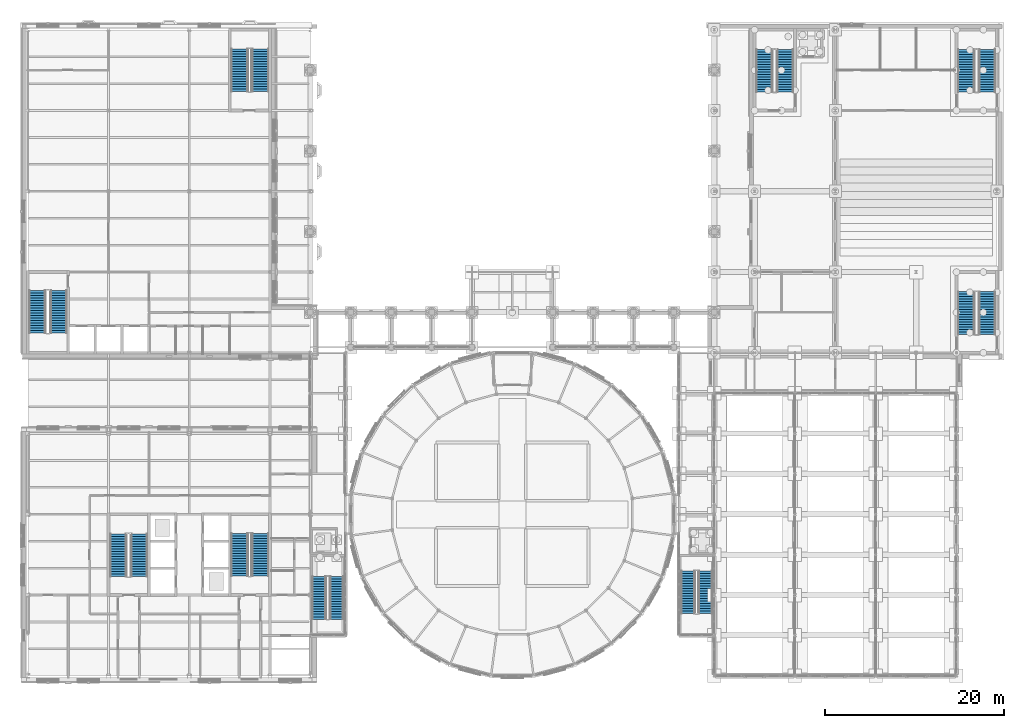
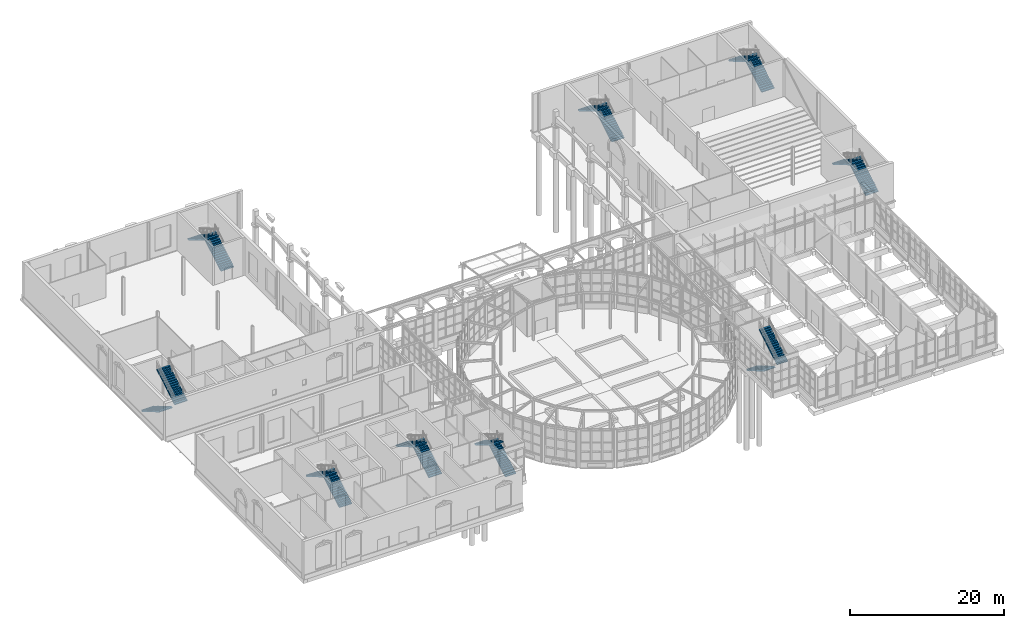
# One storey, part 77 of 106: 18 stair flights, 9 elements without a shape of their own.
"""IFC4 building model written with IfcOpenShell, lengths in metres."""

from ifc_helpers import new_model, si_unit, direction, frame, origin, place, context, subcontext, project, spatial, polyline, outline, extrude, material, layer, layer_set, type_object, element, aggregate, save


model = new_model("IFC4")

# Units and contexts
model_context = context("Model", 3, precision=1e-05, world=origin(), true_north=direction((0.0, 1.0)))
body_context = subcontext(model_context, "Body", "Model", "MODEL_VIEW")
ifc_project = project(units=[si_unit("LENGTHUNIT", "METRE"), si_unit("AREAUNIT", "SQUARE_METRE"), si_unit("VOLUMEUNIT", "CUBIC_METRE"), si_unit("PLANEANGLEUNIT", "RADIAN"), si_unit("MASSUNIT", "GRAM", prefix="KILO")], contexts=[model_context])

# Site, building, storey
site_placement = place(None, origin())
site = spatial("IfcSite", under=ifc_project, at=site_placement, CompositionType="ELEMENT")
building_placement = place(site_placement, origin())
building = spatial("IfcBuilding", under=site, at=building_placement, Name="Hortulan Conservatory and Botanical Research Centre", CompositionType="ELEMENT")
storey_placement = place(building_placement, origin())
storey = spatial("IfcBuildingStorey", under=building, at=storey_placement, Name="L00", CompositionType="ELEMENT", Elevation=0.0)

# Stair, stair flights
ifc_material = material(Name="Concrete N40 (40 MPa, AS 3600)", Category="concrete")
stair_type_1 = type_object("IfcStairType", Name="Concrete Escape Stair 1600", PredefinedType="HALF_TURN_STAIR", material=ifc_material)
stair_1_placement = place(storey_placement, origin())
stair_1 = element("IfcStair", 1, at=stair_1_placement, inside=storey, type_object=stair_type_1, Name="Stair SHW L00", PredefinedType="HALF_TURN_STAIR")
ifc_layer_1 = layer(ifc_material, 0.14990234375)
ifc_layer_set_1 = layer_set([ifc_layer_1], Name="Stair Flight 1600 wide, riser 167")
stair_flight_type_1 = type_object("IfcStairFlightType", Name="Stair Flight 1600 wide, riser 167", PredefinedType="STRAIGHT", material=ifc_layer_set_1)
stair_flight_1_placement = place(storey_placement, frame((34.39990234375, 6.300048828125, 0.0), z_axis=(0.0, 0.0, 1.0), x_axis=(0.0, 1.0, 0.0)))
stair_flight_1 = element("IfcStairFlight", 2, at=stair_flight_1_placement, type_object=stair_flight_type_1, Name="Stair SHW L00 flight 1", NumberOfRisers=18, NumberOfTreads=17, PredefinedType="STRAIGHT", RiserHeight=0.166666667, TreadLength=0.28, context=body_context, shape_type="SweptSolid", body=[
    extrude(outline(polyline([(0.0, 0.0), (0.0, 0.166748046875), (0.280029296875, 0.166748046875), (0.280029296875, 0.333251953125), (0.56005859375, 0.333251953125), (0.56005859375, 0.5), (0.840087890625, 0.5), (0.840087890625, 0.666748046875), (1.1201171875, 0.666748046875), (1.1201171875, 0.833251953125), (1.39990234375, 0.833251953125), (1.39990234375, 1.0), (1.679931640625, 1.0), (1.679931640625, 1.166748046875), (1.9599609375, 1.166748046875), (1.9599609375, 1.333251953125), (2.239990234375, 1.333251953125), (2.239990234375, 1.5), (2.52001953125, 1.5), (2.52001953125, 1.666748046875), (2.800048828125, 1.666748046875), (2.800048828125, 1.833251953125), (3.080078125, 1.833251953125), (3.080078125, 2.0), (3.360107421875, 2.0), (3.360107421875, 2.166748046875), (3.639892578125, 2.166748046875), (3.639892578125, 2.333251953125), (3.919921875, 2.333251953125), (3.919921875, 2.5), (4.199951171875, 2.5), (4.199951171875, 2.666748046875), (4.47998046875, 2.666748046875), (4.47998046875, 2.833251953125), (4.760009765625, 2.833251953125), (4.760009765625, 3.0), (4.760009765625, 2.658935546875), (0.29296875, 0.0), (0.0, 0.0)])), frame((0.0, 0.800048828125, 0.0), z_axis=(0.0, -1.0, 0.0), x_axis=(1.0, 0.0, 0.0)), (0.0, 0.0, 1.0), 1.60009765625),
])
stair_flight_2_placement = place(storey_placement, frame((32.5, 11.06005859375, 3.0), z_axis=(0.0, 0.0, 1.0), x_axis=(0.0, -1.0, 0.0)))
stair_flight_2 = element("IfcStairFlight", 3, at=stair_flight_2_placement, type_object=stair_flight_type_1, Name="Stair SHW L00 flight 2", NumberOfRisers=18, NumberOfTreads=17, PredefinedType="STRAIGHT", RiserHeight=0.166666667, TreadLength=0.28, context=body_context, shape_type="SweptSolid", body=[
    extrude(outline(polyline([(0.0, 0.0), (0.0, 0.166748046875), (0.280029296875, 0.166748046875), (0.280029296875, 0.333251953125), (0.56005859375, 0.333251953125), (0.56005859375, 0.5), (0.840087890625, 0.5), (0.840087890625, 0.666748046875), (1.1201171875, 0.666748046875), (1.1201171875, 0.833251953125), (1.39990234375, 0.833251953125), (1.39990234375, 1.0), (1.679931640625, 1.0), (1.679931640625, 1.166748046875), (1.9599609375, 1.166748046875), (1.9599609375, 1.333251953125), (2.239990234375, 1.333251953125), (2.239990234375, 1.5), (2.52001953125, 1.5), (2.52001953125, 1.666748046875), (2.800048828125, 1.666748046875), (2.800048828125, 1.833251953125), (3.080078125, 1.833251953125), (3.080078125, 2.0), (3.360107421875, 2.0), (3.360107421875, 2.166748046875), (3.639892578125, 2.166748046875), (3.639892578125, 2.333251953125), (3.919921875, 2.333251953125), (3.919921875, 2.5), (4.199951171875, 2.5), (4.199951171875, 2.666748046875), (4.47998046875, 2.666748046875), (4.47998046875, 2.833251953125), (4.760009765625, 2.833251953125), (4.760009765625, 3.0), (4.760009765625, 2.658935546875), (0.29296875, 0.0), (0.0, 0.0)])), frame((0.0, 0.800048828125, 0.0), z_axis=(0.0, -1.0, 0.0), x_axis=(1.0, 0.0, 0.0)), (0.0, 0.0, 1.0), 1.60009765625),
])
aggregate(stair_1, [stair_flight_1, stair_flight_2])

stair_2_placement = place(storey_placement, origin())
stair_2 = element("IfcStair", 4, at=stair_2_placement, inside=storey, type_object=stair_type_1, Name="Stair SHE L00", PredefinedType="HALF_TURN_STAIR")
stair_flight_3_placement = place(storey_placement, frame((73.60009765625, 11.699951171875, 0.0), z_axis=(0.0, 0.0, 1.0), x_axis=(0.0, -1.0, 0.0)))
stair_flight_3 = element("IfcStairFlight", 5, at=stair_flight_3_placement, type_object=stair_flight_type_1, Name="Stair SHE L00 flight 1", NumberOfRisers=18, NumberOfTreads=17, PredefinedType="STRAIGHT", RiserHeight=0.166666667, TreadLength=0.28, context=body_context, shape_type="SweptSolid", body=[
    extrude(outline(polyline([(0.0, 0.0), (0.0, 0.166748046875), (0.280029296875, 0.166748046875), (0.280029296875, 0.333251953125), (0.56005859375, 0.333251953125), (0.56005859375, 0.5), (0.840087890625, 0.5), (0.840087890625, 0.666748046875), (1.1201171875, 0.666748046875), (1.1201171875, 0.833251953125), (1.39990234375, 0.833251953125), (1.39990234375, 1.0), (1.679931640625, 1.0), (1.679931640625, 1.166748046875), (1.9599609375, 1.166748046875), (1.9599609375, 1.333251953125), (2.239990234375, 1.333251953125), (2.239990234375, 1.5), (2.52001953125, 1.5), (2.52001953125, 1.666748046875), (2.800048828125, 1.666748046875), (2.800048828125, 1.833251953125), (3.080078125, 1.833251953125), (3.080078125, 2.0), (3.360107421875, 2.0), (3.360107421875, 2.166748046875), (3.639892578125, 2.166748046875), (3.639892578125, 2.333251953125), (3.919921875, 2.333251953125), (3.919921875, 2.5), (4.199951171875, 2.5), (4.199951171875, 2.666748046875), (4.47998046875, 2.666748046875), (4.47998046875, 2.833251953125), (4.760009765625, 2.833251953125), (4.760009765625, 3.0), (4.760009765625, 2.658935546875), (0.29296875, 0.0), (0.0, 0.0)])), frame((0.0, 0.800048828125, 0.0), z_axis=(0.0, -1.0, 0.0), x_axis=(1.0, 0.0, 0.0)), (0.0, 0.0, 1.0), 1.60009765625),
])
stair_flight_4_placement = place(storey_placement, frame((75.5, 6.93994140625, 3.0), z_axis=(0.0, 0.0, 1.0), x_axis=(0.0, 1.0, 0.0)))
stair_flight_4 = element("IfcStairFlight", 6, at=stair_flight_4_placement, type_object=stair_flight_type_1, Name="Stair SHE L00 flight 2", NumberOfRisers=18, NumberOfTreads=17, PredefinedType="STRAIGHT", RiserHeight=0.166666667, TreadLength=0.28, context=body_context, shape_type="SweptSolid", body=[
    extrude(outline(polyline([(0.0, 0.0), (0.0, 0.166748046875), (0.280029296875, 0.166748046875), (0.280029296875, 0.333251953125), (0.56005859375, 0.333251953125), (0.56005859375, 0.5), (0.840087890625, 0.5), (0.840087890625, 0.666748046875), (1.1201171875, 0.666748046875), (1.1201171875, 0.833251953125), (1.39990234375, 0.833251953125), (1.39990234375, 1.0), (1.679931640625, 1.0), (1.679931640625, 1.166748046875), (1.9599609375, 1.166748046875), (1.9599609375, 1.333251953125), (2.239990234375, 1.333251953125), (2.239990234375, 1.5), (2.52001953125, 1.5), (2.52001953125, 1.666748046875), (2.800048828125, 1.666748046875), (2.800048828125, 1.833251953125), (3.080078125, 1.833251953125), (3.080078125, 2.0), (3.360107421875, 2.0), (3.360107421875, 2.166748046875), (3.639892578125, 2.166748046875), (3.639892578125, 2.333251953125), (3.919921875, 2.333251953125), (3.919921875, 2.5), (4.199951171875, 2.5), (4.199951171875, 2.666748046875), (4.47998046875, 2.666748046875), (4.47998046875, 2.833251953125), (4.760009765625, 2.833251953125), (4.760009765625, 3.0), (4.760009765625, 2.658935546875), (0.29296875, 0.0), (0.0, 0.0)])), frame((0.0, 0.800048828125, 0.0), z_axis=(0.0, -1.0, 0.0), x_axis=(1.0, 0.0, 0.0)), (0.0, 0.0, 1.0), 1.60009765625),
])
aggregate(stair_2, [stair_flight_3, stair_flight_4])

stair_type_2 = type_object("IfcStairType", Name="Concrete Escape Stair 1900", PredefinedType="HALF_TURN_STAIR", material=ifc_material)
stair_3_placement = place(storey_placement, origin())
stair_3 = element("IfcStair", 7, at=stair_3_placement, inside=storey, type_object=stair_type_2, Name="Stair T1 L00", PredefinedType="HALF_TURN_STAIR")
ifc_layer_2 = layer(ifc_material, 0.14990234375)
ifc_layer_set_2 = layer_set([ifc_layer_2], Name="Stair Flight 1900 wide, riser 167")
stair_flight_type_2 = type_object("IfcStairFlightType", Name="Stair Flight 1900 wide, riser 167", PredefinedType="STRAIGHT", material=ifc_layer_set_2)
stair_flight_5_placement = place(storey_placement, frame((12.39990234375, 11.050048828125, 0.0), z_axis=(0.0, 0.0, 1.0), x_axis=(0.0, 1.0, 0.0)))
stair_flight_5 = element("IfcStairFlight", 8, at=stair_flight_5_placement, type_object=stair_flight_type_2, Name="Stair T1 L00 flight 1", NumberOfRisers=18, NumberOfTreads=17, PredefinedType="STRAIGHT", RiserHeight=0.166666667, TreadLength=0.28, context=body_context, shape_type="SweptSolid", body=[
    extrude(outline(polyline([(0.0, 0.0), (0.0, 0.166748046875), (0.280029296875, 0.166748046875), (0.280029296875, 0.333251953125), (0.56005859375, 0.333251953125), (0.56005859375, 0.5), (0.840087890625, 0.5), (0.840087890625, 0.666748046875), (1.1201171875, 0.666748046875), (1.1201171875, 0.833251953125), (1.39990234375, 0.833251953125), (1.39990234375, 1.0), (1.679931640625, 1.0), (1.679931640625, 1.166748046875), (1.9599609375, 1.166748046875), (1.9599609375, 1.333251953125), (2.239990234375, 1.333251953125), (2.239990234375, 1.5), (2.52001953125, 1.5), (2.52001953125, 1.666748046875), (2.800048828125, 1.666748046875), (2.800048828125, 1.833251953125), (3.080078125, 1.833251953125), (3.080078125, 2.0), (3.360107421875, 2.0), (3.360107421875, 2.166748046875), (3.639892578125, 2.166748046875), (3.639892578125, 2.333251953125), (3.919921875, 2.333251953125), (3.919921875, 2.5), (4.199951171875, 2.5), (4.199951171875, 2.666748046875), (4.47998046875, 2.666748046875), (4.47998046875, 2.833251953125), (4.760009765625, 2.833251953125), (4.760009765625, 3.0), (4.760009765625, 2.658935546875), (0.29296875, 0.0), (0.0, 0.0)])), frame((0.0, 0.949951171875, 0.0), z_axis=(0.0, -1.0, 0.0), x_axis=(1.0, 0.0, 0.0)), (0.0, 0.0, 1.0), 1.89990234375),
])
stair_flight_6_placement = place(storey_placement, frame((10.10009765625, 15.81005859375, 3.0), z_axis=(0.0, 0.0, 1.0), x_axis=(0.0, -1.0, 0.0)))
stair_flight_6 = element("IfcStairFlight", 9, at=stair_flight_6_placement, type_object=stair_flight_type_2, Name="Stair T1 L00 flight 2", NumberOfRisers=18, NumberOfTreads=17, PredefinedType="STRAIGHT", RiserHeight=0.166666667, TreadLength=0.28, context=body_context, shape_type="SweptSolid", body=[
    extrude(outline(polyline([(0.0, 0.0), (0.0, 0.166748046875), (0.280029296875, 0.166748046875), (0.280029296875, 0.333251953125), (0.56005859375, 0.333251953125), (0.56005859375, 0.5), (0.840087890625, 0.5), (0.840087890625, 0.666748046875), (1.1201171875, 0.666748046875), (1.1201171875, 0.833251953125), (1.39990234375, 0.833251953125), (1.39990234375, 1.0), (1.679931640625, 1.0), (1.679931640625, 1.166748046875), (1.9599609375, 1.166748046875), (1.9599609375, 1.333251953125), (2.239990234375, 1.333251953125), (2.239990234375, 1.5), (2.52001953125, 1.5), (2.52001953125, 1.666748046875), (2.800048828125, 1.666748046875), (2.800048828125, 1.833251953125), (3.080078125, 1.833251953125), (3.080078125, 2.0), (3.360107421875, 2.0), (3.360107421875, 2.166748046875), (3.639892578125, 2.166748046875), (3.639892578125, 2.333251953125), (3.919921875, 2.333251953125), (3.919921875, 2.5), (4.199951171875, 2.5), (4.199951171875, 2.666748046875), (4.47998046875, 2.666748046875), (4.47998046875, 2.833251953125), (4.760009765625, 2.833251953125), (4.760009765625, 3.0), (4.760009765625, 2.658935546875), (0.29296875, 0.0), (0.0, 0.0)])), frame((0.0, 0.949951171875, 0.0), z_axis=(0.0, -1.0, 0.0), x_axis=(1.0, 0.0, 0.0)), (0.0, 0.0, 1.0), 1.89990234375),
])
aggregate(stair_3, [stair_flight_5, stair_flight_6])

stair_4_placement = place(storey_placement, origin())
stair_4 = element("IfcStair", 10, at=stair_4_placement, inside=storey, type_object=stair_type_2, Name="Stair V1 L00", PredefinedType="HALF_TURN_STAIR")
stair_flight_7_placement = place(storey_placement, frame((1.10009765625, 42.949951171875, 0.0), z_axis=(0.0, 0.0, 1.0), x_axis=(0.0, -1.0, 0.0)))
stair_flight_7 = element("IfcStairFlight", 11, at=stair_flight_7_placement, type_object=stair_flight_type_2, Name="Stair V1 L00 flight 1", NumberOfRisers=18, NumberOfTreads=17, PredefinedType="STRAIGHT", RiserHeight=0.166666667, TreadLength=0.28, context=body_context, shape_type="SweptSolid", body=[
    extrude(outline(polyline([(0.0, 0.0), (0.0, 0.166748046875), (0.280029296875, 0.166748046875), (0.280029296875, 0.333251953125), (0.56005859375, 0.333251953125), (0.56005859375, 0.5), (0.840087890625, 0.5), (0.840087890625, 0.666748046875), (1.1201171875, 0.666748046875), (1.1201171875, 0.833251953125), (1.39990234375, 0.833251953125), (1.39990234375, 1.0), (1.679931640625, 1.0), (1.679931640625, 1.166748046875), (1.9599609375, 1.166748046875), (1.9599609375, 1.333251953125), (2.239990234375, 1.333251953125), (2.239990234375, 1.5), (2.52001953125, 1.5), (2.52001953125, 1.666748046875), (2.800048828125, 1.666748046875), (2.800048828125, 1.833251953125), (3.080078125, 1.833251953125), (3.080078125, 2.0), (3.360107421875, 2.0), (3.360107421875, 2.166748046875), (3.639892578125, 2.166748046875), (3.639892578125, 2.333251953125), (3.919921875, 2.333251953125), (3.919921875, 2.5), (4.199951171875, 2.5), (4.199951171875, 2.666748046875), (4.47998046875, 2.666748046875), (4.47998046875, 2.833251953125), (4.760009765625, 2.833251953125), (4.760009765625, 3.0), (4.760009765625, 2.658935546875), (0.29296875, 0.0), (0.0, 0.0)])), frame((0.0, 0.949951171875, 0.0), z_axis=(0.0, -1.0, 0.0), x_axis=(1.0, 0.0, 0.0)), (0.0, 0.0, 1.0), 1.89990234375),
])
stair_flight_8_placement = place(storey_placement, frame((3.39990234375, 38.18994140625, 3.0), z_axis=(0.0, 0.0, 1.0), x_axis=(0.0, 1.0, 0.0)))
stair_flight_8 = element("IfcStairFlight", 12, at=stair_flight_8_placement, type_object=stair_flight_type_2, Name="Stair V1 L00 flight 2", NumberOfRisers=18, NumberOfTreads=17, PredefinedType="STRAIGHT", RiserHeight=0.166666667, TreadLength=0.28, context=body_context, shape_type="SweptSolid", body=[
    extrude(outline(polyline([(0.0, 0.0), (0.0, 0.166748046875), (0.280029296875, 0.166748046875), (0.280029296875, 0.333251953125), (0.56005859375, 0.333251953125), (0.56005859375, 0.5), (0.840087890625, 0.5), (0.840087890625, 0.666748046875), (1.1201171875, 0.666748046875), (1.1201171875, 0.833251953125), (1.39990234375, 0.833251953125), (1.39990234375, 1.0), (1.679931640625, 1.0), (1.679931640625, 1.166748046875), (1.9599609375, 1.166748046875), (1.9599609375, 1.333251953125), (2.239990234375, 1.333251953125), (2.239990234375, 1.5), (2.52001953125, 1.5), (2.52001953125, 1.666748046875), (2.800048828125, 1.666748046875), (2.800048828125, 1.833251953125), (3.080078125, 1.833251953125), (3.080078125, 2.0), (3.360107421875, 2.0), (3.360107421875, 2.166748046875), (3.639892578125, 2.166748046875), (3.639892578125, 2.333251953125), (3.919921875, 2.333251953125), (3.919921875, 2.5), (4.199951171875, 2.5), (4.199951171875, 2.666748046875), (4.47998046875, 2.666748046875), (4.47998046875, 2.833251953125), (4.760009765625, 2.833251953125), (4.760009765625, 3.0), (4.760009765625, 2.658935546875), (0.29296875, 0.0), (0.0, 0.0)])), frame((0.0, 0.949951171875, 0.0), z_axis=(0.0, -1.0, 0.0), x_axis=(1.0, 0.0, 0.0)), (0.0, 0.0, 1.0), 1.89990234375),
])
aggregate(stair_4, [stair_flight_7, stair_flight_8])

stair_5_placement = place(storey_placement, origin())
stair_5 = element("IfcStair", 13, at=stair_5_placement, inside=storey, type_object=stair_type_2, Name="Stair A1 L00", PredefinedType="HALF_TURN_STAIR")
stair_flight_9_placement = place(storey_placement, frame((84.39990234375, 65.050048828125, 0.0), z_axis=(0.0, 0.0, 1.0), x_axis=(0.0, 1.0, 0.0)))
stair_flight_9 = element("IfcStairFlight", 14, at=stair_flight_9_placement, type_object=stair_flight_type_2, Name="Stair A1 L00 flight 1", NumberOfRisers=18, NumberOfTreads=17, PredefinedType="STRAIGHT", RiserHeight=0.166666667, TreadLength=0.28, context=body_context, shape_type="SweptSolid", body=[
    extrude(outline(polyline([(0.0, 0.0), (0.0, 0.166748046875), (0.280029296875, 0.166748046875), (0.280029296875, 0.333251953125), (0.56005859375, 0.333251953125), (0.56005859375, 0.5), (0.840087890625, 0.5), (0.840087890625, 0.666748046875), (1.1201171875, 0.666748046875), (1.1201171875, 0.833251953125), (1.39990234375, 0.833251953125), (1.39990234375, 1.0), (1.679931640625, 1.0), (1.679931640625, 1.166748046875), (1.9599609375, 1.166748046875), (1.9599609375, 1.333251953125), (2.239990234375, 1.333251953125), (2.239990234375, 1.5), (2.52001953125, 1.5), (2.52001953125, 1.666748046875), (2.800048828125, 1.666748046875), (2.800048828125, 1.833251953125), (3.080078125, 1.833251953125), (3.080078125, 2.0), (3.360107421875, 2.0), (3.360107421875, 2.166748046875), (3.639892578125, 2.166748046875), (3.639892578125, 2.333251953125), (3.919921875, 2.333251953125), (3.919921875, 2.5), (4.199951171875, 2.5), (4.199951171875, 2.666748046875), (4.47998046875, 2.666748046875), (4.47998046875, 2.833251953125), (4.760009765625, 2.833251953125), (4.760009765625, 3.0), (4.760009765625, 2.658935546875), (0.29296875, 0.0), (0.0, 0.0)])), frame((0.0, 0.949951171875, 0.0), z_axis=(0.0, -1.0, 0.0), x_axis=(1.0, 0.0, 0.0)), (0.0, 0.0, 1.0), 1.89990234375),
])
stair_flight_10_placement = place(storey_placement, frame((82.10009765625, 69.81005859375, 3.0), z_axis=(0.0, 0.0, 1.0), x_axis=(0.0, -1.0, 0.0)))
stair_flight_10 = element("IfcStairFlight", 15, at=stair_flight_10_placement, type_object=stair_flight_type_2, Name="Stair A1 L00 flight 2", NumberOfRisers=18, NumberOfTreads=17, PredefinedType="STRAIGHT", RiserHeight=0.166666667, TreadLength=0.28, context=body_context, shape_type="SweptSolid", body=[
    extrude(outline(polyline([(0.0, 0.0), (0.0, 0.166748046875), (0.280029296875, 0.166748046875), (0.280029296875, 0.333251953125), (0.56005859375, 0.333251953125), (0.56005859375, 0.5), (0.840087890625, 0.5), (0.840087890625, 0.666748046875), (1.1201171875, 0.666748046875), (1.1201171875, 0.833251953125), (1.39990234375, 0.833251953125), (1.39990234375, 1.0), (1.679931640625, 1.0), (1.679931640625, 1.166748046875), (1.9599609375, 1.166748046875), (1.9599609375, 1.333251953125), (2.239990234375, 1.333251953125), (2.239990234375, 1.5), (2.52001953125, 1.5), (2.52001953125, 1.666748046875), (2.800048828125, 1.666748046875), (2.800048828125, 1.833251953125), (3.080078125, 1.833251953125), (3.080078125, 2.0), (3.360107421875, 2.0), (3.360107421875, 2.166748046875), (3.639892578125, 2.166748046875), (3.639892578125, 2.333251953125), (3.919921875, 2.333251953125), (3.919921875, 2.5), (4.199951171875, 2.5), (4.199951171875, 2.666748046875), (4.47998046875, 2.666748046875), (4.47998046875, 2.833251953125), (4.760009765625, 2.833251953125), (4.760009765625, 3.0), (4.760009765625, 2.658935546875), (0.29296875, 0.0), (0.0, 0.0)])), frame((0.0, 0.949951171875, 0.0), z_axis=(0.0, -1.0, 0.0), x_axis=(1.0, 0.0, 0.0)), (0.0, 0.0, 1.0), 1.89990234375),
])
aggregate(stair_5, [stair_flight_9, stair_flight_10])

stair_6_placement = place(storey_placement, origin())
stair_6 = element("IfcStair", 16, at=stair_6_placement, inside=storey, type_object=stair_type_2, Name="Stair A2 L00", PredefinedType="HALF_TURN_STAIR")
stair_flight_11_placement = place(storey_placement, frame((106.89990234375, 38.050048828125, 0.0), z_axis=(0.0, 0.0, 1.0), x_axis=(0.0, 1.0, 0.0)))
stair_flight_11 = element("IfcStairFlight", 17, at=stair_flight_11_placement, type_object=stair_flight_type_2, Name="Stair A2 L00 flight 1", NumberOfRisers=18, NumberOfTreads=17, PredefinedType="STRAIGHT", RiserHeight=0.166666667, TreadLength=0.28, context=body_context, shape_type="SweptSolid", body=[
    extrude(outline(polyline([(0.0, 0.0), (0.0, 0.166748046875), (0.280029296875, 0.166748046875), (0.280029296875, 0.333251953125), (0.56005859375, 0.333251953125), (0.56005859375, 0.5), (0.840087890625, 0.5), (0.840087890625, 0.666748046875), (1.1201171875, 0.666748046875), (1.1201171875, 0.833251953125), (1.39990234375, 0.833251953125), (1.39990234375, 1.0), (1.679931640625, 1.0), (1.679931640625, 1.166748046875), (1.9599609375, 1.166748046875), (1.9599609375, 1.333251953125), (2.239990234375, 1.333251953125), (2.239990234375, 1.5), (2.52001953125, 1.5), (2.52001953125, 1.666748046875), (2.800048828125, 1.666748046875), (2.800048828125, 1.833251953125), (3.080078125, 1.833251953125), (3.080078125, 2.0), (3.360107421875, 2.0), (3.360107421875, 2.166748046875), (3.639892578125, 2.166748046875), (3.639892578125, 2.333251953125), (3.919921875, 2.333251953125), (3.919921875, 2.5), (4.199951171875, 2.5), (4.199951171875, 2.666748046875), (4.47998046875, 2.666748046875), (4.47998046875, 2.833251953125), (4.760009765625, 2.833251953125), (4.760009765625, 3.0), (4.760009765625, 2.658935546875), (0.29296875, 0.0), (0.0, 0.0)])), frame((0.0, 0.949951171875, 0.0), z_axis=(0.0, -1.0, 0.0), x_axis=(1.0, 0.0, 0.0)), (0.0, 0.0, 1.0), 1.89990234375),
])
stair_flight_12_placement = place(storey_placement, frame((104.60009765625, 42.81005859375, 3.0), z_axis=(0.0, 0.0, 1.0), x_axis=(0.0, -1.0, 0.0)))
stair_flight_12 = element("IfcStairFlight", 18, at=stair_flight_12_placement, type_object=stair_flight_type_2, Name="Stair A2 L00 flight 2", NumberOfRisers=18, NumberOfTreads=17, PredefinedType="STRAIGHT", RiserHeight=0.166666667, TreadLength=0.28, context=body_context, shape_type="SweptSolid", body=[
    extrude(outline(polyline([(0.0, 0.0), (0.0, 0.166748046875), (0.280029296875, 0.166748046875), (0.280029296875, 0.333251953125), (0.56005859375, 0.333251953125), (0.56005859375, 0.5), (0.840087890625, 0.5), (0.840087890625, 0.666748046875), (1.1201171875, 0.666748046875), (1.1201171875, 0.833251953125), (1.39990234375, 0.833251953125), (1.39990234375, 1.0), (1.679931640625, 1.0), (1.679931640625, 1.166748046875), (1.9599609375, 1.166748046875), (1.9599609375, 1.333251953125), (2.239990234375, 1.333251953125), (2.239990234375, 1.5), (2.52001953125, 1.5), (2.52001953125, 1.666748046875), (2.800048828125, 1.666748046875), (2.800048828125, 1.833251953125), (3.080078125, 1.833251953125), (3.080078125, 2.0), (3.360107421875, 2.0), (3.360107421875, 2.166748046875), (3.639892578125, 2.166748046875), (3.639892578125, 2.333251953125), (3.919921875, 2.333251953125), (3.919921875, 2.5), (4.199951171875, 2.5), (4.199951171875, 2.666748046875), (4.47998046875, 2.666748046875), (4.47998046875, 2.833251953125), (4.760009765625, 2.833251953125), (4.760009765625, 3.0), (4.760009765625, 2.658935546875), (0.29296875, 0.0), (0.0, 0.0)])), frame((0.0, 0.949951171875, 0.0), z_axis=(0.0, -1.0, 0.0), x_axis=(1.0, 0.0, 0.0)), (0.0, 0.0, 1.0), 1.89990234375),
])
aggregate(stair_6, [stair_flight_11, stair_flight_12])

stair_7_placement = place(storey_placement, origin())
stair_7 = element("IfcStair", 19, at=stair_7_placement, inside=storey, type_object=stair_type_2, Name="Stair A3 L00", PredefinedType="HALF_TURN_STAIR")
stair_flight_13_placement = place(storey_placement, frame((106.89990234375, 65.050048828125, 0.0), z_axis=(0.0, 0.0, 1.0), x_axis=(0.0, 1.0, 0.0)))
stair_flight_13 = element("IfcStairFlight", 20, at=stair_flight_13_placement, type_object=stair_flight_type_2, Name="Stair A3 L00 flight 1", NumberOfRisers=18, NumberOfTreads=17, PredefinedType="STRAIGHT", RiserHeight=0.166666667, TreadLength=0.28, context=body_context, shape_type="SweptSolid", body=[
    extrude(outline(polyline([(0.0, 0.0), (0.0, 0.166748046875), (0.280029296875, 0.166748046875), (0.280029296875, 0.333251953125), (0.56005859375, 0.333251953125), (0.56005859375, 0.5), (0.840087890625, 0.5), (0.840087890625, 0.666748046875), (1.1201171875, 0.666748046875), (1.1201171875, 0.833251953125), (1.39990234375, 0.833251953125), (1.39990234375, 1.0), (1.679931640625, 1.0), (1.679931640625, 1.166748046875), (1.9599609375, 1.166748046875), (1.9599609375, 1.333251953125), (2.239990234375, 1.333251953125), (2.239990234375, 1.5), (2.52001953125, 1.5), (2.52001953125, 1.666748046875), (2.800048828125, 1.666748046875), (2.800048828125, 1.833251953125), (3.080078125, 1.833251953125), (3.080078125, 2.0), (3.360107421875, 2.0), (3.360107421875, 2.166748046875), (3.639892578125, 2.166748046875), (3.639892578125, 2.333251953125), (3.919921875, 2.333251953125), (3.919921875, 2.5), (4.199951171875, 2.5), (4.199951171875, 2.666748046875), (4.47998046875, 2.666748046875), (4.47998046875, 2.833251953125), (4.760009765625, 2.833251953125), (4.760009765625, 3.0), (4.760009765625, 2.658935546875), (0.29296875, 0.0), (0.0, 0.0)])), frame((0.0, 0.949951171875, 0.0), z_axis=(0.0, -1.0, 0.0), x_axis=(1.0, 0.0, 0.0)), (0.0, 0.0, 1.0), 1.89990234375),
])
stair_flight_14_placement = place(storey_placement, frame((104.60009765625, 69.81005859375, 3.0), z_axis=(0.0, 0.0, 1.0), x_axis=(0.0, -1.0, 0.0)))
stair_flight_14 = element("IfcStairFlight", 21, at=stair_flight_14_placement, type_object=stair_flight_type_2, Name="Stair A3 L00 flight 2", NumberOfRisers=18, NumberOfTreads=17, PredefinedType="STRAIGHT", RiserHeight=0.166666667, TreadLength=0.28, context=body_context, shape_type="SweptSolid", body=[
    extrude(outline(polyline([(0.0, 0.0), (0.0, 0.166748046875), (0.280029296875, 0.166748046875), (0.280029296875, 0.333251953125), (0.56005859375, 0.333251953125), (0.56005859375, 0.5), (0.840087890625, 0.5), (0.840087890625, 0.666748046875), (1.1201171875, 0.666748046875), (1.1201171875, 0.833251953125), (1.39990234375, 0.833251953125), (1.39990234375, 1.0), (1.679931640625, 1.0), (1.679931640625, 1.166748046875), (1.9599609375, 1.166748046875), (1.9599609375, 1.333251953125), (2.239990234375, 1.333251953125), (2.239990234375, 1.5), (2.52001953125, 1.5), (2.52001953125, 1.666748046875), (2.800048828125, 1.666748046875), (2.800048828125, 1.833251953125), (3.080078125, 1.833251953125), (3.080078125, 2.0), (3.360107421875, 2.0), (3.360107421875, 2.166748046875), (3.639892578125, 2.166748046875), (3.639892578125, 2.333251953125), (3.919921875, 2.333251953125), (3.919921875, 2.5), (4.199951171875, 2.5), (4.199951171875, 2.666748046875), (4.47998046875, 2.666748046875), (4.47998046875, 2.833251953125), (4.760009765625, 2.833251953125), (4.760009765625, 3.0), (4.760009765625, 2.658935546875), (0.29296875, 0.0), (0.0, 0.0)])), frame((0.0, 0.949951171875, 0.0), z_axis=(0.0, -1.0, 0.0), x_axis=(1.0, 0.0, 0.0)), (0.0, 0.0, 1.0), 1.89990234375),
])
aggregate(stair_7, [stair_flight_13, stair_flight_14])

stair_type_3 = type_object("IfcStairType", Name="Concrete Escape Stair 1950", PredefinedType="HALF_TURN_STAIR", material=ifc_material)
stair_8_placement = place(storey_placement, origin())
stair_8 = element("IfcStair", 22, at=stair_8_placement, inside=storey, type_object=stair_type_3, Name="Stair T2 L00", PredefinedType="HALF_TURN_STAIR")
ifc_layer_3 = layer(ifc_material, 0.14990234375)
ifc_layer_set_3 = layer_set([ifc_layer_3], Name="Stair Flight 1950 wide, riser 167")
stair_flight_type_3 = type_object("IfcStairFlightType", Name="Stair Flight 1950 wide, riser 167", PredefinedType="STRAIGHT", material=ifc_layer_set_3)
stair_flight_15_placement = place(storey_placement, frame((25.875, 11.10009765625, 0.0), z_axis=(0.0, 0.0, 1.0), x_axis=(0.0, 1.0, 0.0)))
stair_flight_15 = element("IfcStairFlight", 23, at=stair_flight_15_placement, type_object=stair_flight_type_3, Name="Stair T2 L00 flight 1", NumberOfRisers=18, NumberOfTreads=17, PredefinedType="STRAIGHT", RiserHeight=0.166666667, TreadLength=0.28, context=body_context, shape_type="SweptSolid", body=[
    extrude(outline(polyline([(0.0, 0.0), (0.0, 0.166748046875), (0.280029296875, 0.166748046875), (0.280029296875, 0.333251953125), (0.56005859375, 0.333251953125), (0.56005859375, 0.5), (0.840087890625, 0.5), (0.840087890625, 0.666748046875), (1.1201171875, 0.666748046875), (1.1201171875, 0.833251953125), (1.39990234375, 0.833251953125), (1.39990234375, 1.0), (1.679931640625, 1.0), (1.679931640625, 1.166748046875), (1.9599609375, 1.166748046875), (1.9599609375, 1.333251953125), (2.239990234375, 1.333251953125), (2.239990234375, 1.5), (2.52001953125, 1.5), (2.52001953125, 1.666748046875), (2.800048828125, 1.666748046875), (2.800048828125, 1.833251953125), (3.080078125, 1.833251953125), (3.080078125, 2.0), (3.360107421875, 2.0), (3.360107421875, 2.166748046875), (3.639892578125, 2.166748046875), (3.639892578125, 2.333251953125), (3.919921875, 2.333251953125), (3.919921875, 2.5), (4.199951171875, 2.5), (4.199951171875, 2.666748046875), (4.47998046875, 2.666748046875), (4.47998046875, 2.833251953125), (4.760009765625, 2.833251953125), (4.760009765625, 3.0), (4.760009765625, 2.658935546875), (0.29296875, 0.0), (0.0, 0.0)])), frame((0.0, 0.97509765625, 0.0), z_axis=(0.0, -1.0, 0.0), x_axis=(1.0, 0.0, 0.0)), (0.0, 0.0, 1.0), 1.949951171875),
])
stair_flight_16_placement = place(storey_placement, frame((23.625, 15.860107421875, 3.0), z_axis=(0.0, 0.0, 1.0), x_axis=(0.0, -1.0, 0.0)))
stair_flight_16 = element("IfcStairFlight", 24, at=stair_flight_16_placement, type_object=stair_flight_type_3, Name="Stair T2 L00 flight 2", NumberOfRisers=18, NumberOfTreads=17, PredefinedType="STRAIGHT", RiserHeight=0.166666667, TreadLength=0.28, context=body_context, shape_type="SweptSolid", body=[
    extrude(outline(polyline([(0.0, 0.0), (0.0, 0.166748046875), (0.280029296875, 0.166748046875), (0.280029296875, 0.333251953125), (0.56005859375, 0.333251953125), (0.56005859375, 0.5), (0.840087890625, 0.5), (0.840087890625, 0.666748046875), (1.1201171875, 0.666748046875), (1.1201171875, 0.833251953125), (1.39990234375, 0.833251953125), (1.39990234375, 1.0), (1.679931640625, 1.0), (1.679931640625, 1.166748046875), (1.9599609375, 1.166748046875), (1.9599609375, 1.333251953125), (2.239990234375, 1.333251953125), (2.239990234375, 1.5), (2.52001953125, 1.5), (2.52001953125, 1.666748046875), (2.800048828125, 1.666748046875), (2.800048828125, 1.833251953125), (3.080078125, 1.833251953125), (3.080078125, 2.0), (3.360107421875, 2.0), (3.360107421875, 2.166748046875), (3.639892578125, 2.166748046875), (3.639892578125, 2.333251953125), (3.919921875, 2.333251953125), (3.919921875, 2.5), (4.199951171875, 2.5), (4.199951171875, 2.666748046875), (4.47998046875, 2.666748046875), (4.47998046875, 2.833251953125), (4.760009765625, 2.833251953125), (4.760009765625, 3.0), (4.760009765625, 2.658935546875), (0.29296875, 0.0), (0.0, 0.0)])), frame((0.0, 0.97509765625, 0.0), z_axis=(0.0, -1.0, 0.0), x_axis=(1.0, 0.0, 0.0)), (0.0, 0.0, 1.0), 1.949951171875),
])
aggregate(stair_8, [stair_flight_15, stair_flight_16])

stair_9_placement = place(storey_placement, origin())
stair_9 = element("IfcStair", 25, at=stair_9_placement, inside=storey, type_object=stair_type_3, Name="Stair V2 L00", PredefinedType="HALF_TURN_STAIR")
stair_flight_17_placement = place(storey_placement, frame((25.875, 65.10009765625, 0.0), z_axis=(0.0, 0.0, 1.0), x_axis=(0.0, 1.0, 0.0)))
stair_flight_17 = element("IfcStairFlight", 26, at=stair_flight_17_placement, type_object=stair_flight_type_3, Name="Stair V2 L00 flight 1", NumberOfRisers=18, NumberOfTreads=17, PredefinedType="STRAIGHT", RiserHeight=0.166666667, TreadLength=0.28, context=body_context, shape_type="SweptSolid", body=[
    extrude(outline(polyline([(0.0, 0.0), (0.0, 0.166748046875), (0.280029296875, 0.166748046875), (0.280029296875, 0.333251953125), (0.56005859375, 0.333251953125), (0.56005859375, 0.5), (0.840087890625, 0.5), (0.840087890625, 0.666748046875), (1.1201171875, 0.666748046875), (1.1201171875, 0.833251953125), (1.39990234375, 0.833251953125), (1.39990234375, 1.0), (1.679931640625, 1.0), (1.679931640625, 1.166748046875), (1.9599609375, 1.166748046875), (1.9599609375, 1.333251953125), (2.239990234375, 1.333251953125), (2.239990234375, 1.5), (2.52001953125, 1.5), (2.52001953125, 1.666748046875), (2.800048828125, 1.666748046875), (2.800048828125, 1.833251953125), (3.080078125, 1.833251953125), (3.080078125, 2.0), (3.360107421875, 2.0), (3.360107421875, 2.166748046875), (3.639892578125, 2.166748046875), (3.639892578125, 2.333251953125), (3.919921875, 2.333251953125), (3.919921875, 2.5), (4.199951171875, 2.5), (4.199951171875, 2.666748046875), (4.47998046875, 2.666748046875), (4.47998046875, 2.833251953125), (4.760009765625, 2.833251953125), (4.760009765625, 3.0), (4.760009765625, 2.658935546875), (0.29296875, 0.0), (0.0, 0.0)])), frame((0.0, 0.97509765625, 0.0), z_axis=(0.0, -1.0, 0.0), x_axis=(1.0, 0.0, 0.0)), (0.0, 0.0, 1.0), 1.949951171875),
])
stair_flight_18_placement = place(storey_placement, frame((23.625, 69.860107421875, 3.0), z_axis=(0.0, 0.0, 1.0), x_axis=(0.0, -1.0, 0.0)))
stair_flight_18 = element("IfcStairFlight", 27, at=stair_flight_18_placement, type_object=stair_flight_type_3, Name="Stair V2 L00 flight 2", NumberOfRisers=18, NumberOfTreads=17, PredefinedType="STRAIGHT", RiserHeight=0.166666667, TreadLength=0.28, context=body_context, shape_type="SweptSolid", body=[
    extrude(outline(polyline([(0.0, 0.0), (0.0, 0.166748046875), (0.280029296875, 0.166748046875), (0.280029296875, 0.333251953125), (0.56005859375, 0.333251953125), (0.56005859375, 0.5), (0.840087890625, 0.5), (0.840087890625, 0.666748046875), (1.1201171875, 0.666748046875), (1.1201171875, 0.833251953125), (1.39990234375, 0.833251953125), (1.39990234375, 1.0), (1.679931640625, 1.0), (1.679931640625, 1.166748046875), (1.9599609375, 1.166748046875), (1.9599609375, 1.333251953125), (2.239990234375, 1.333251953125), (2.239990234375, 1.5), (2.52001953125, 1.5), (2.52001953125, 1.666748046875), (2.800048828125, 1.666748046875), (2.800048828125, 1.833251953125), (3.080078125, 1.833251953125), (3.080078125, 2.0), (3.360107421875, 2.0), (3.360107421875, 2.166748046875), (3.639892578125, 2.166748046875), (3.639892578125, 2.333251953125), (3.919921875, 2.333251953125), (3.919921875, 2.5), (4.199951171875, 2.5), (4.199951171875, 2.666748046875), (4.47998046875, 2.666748046875), (4.47998046875, 2.833251953125), (4.760009765625, 2.833251953125), (4.760009765625, 3.0), (4.760009765625, 2.658935546875), (0.29296875, 0.0), (0.0, 0.0)])), frame((0.0, 0.97509765625, 0.0), z_axis=(0.0, -1.0, 0.0), x_axis=(1.0, 0.0, 0.0)), (0.0, 0.0, 1.0), 1.949951171875),
])
aggregate(stair_9, [stair_flight_17, stair_flight_18])

save(model, "model.ifc")
